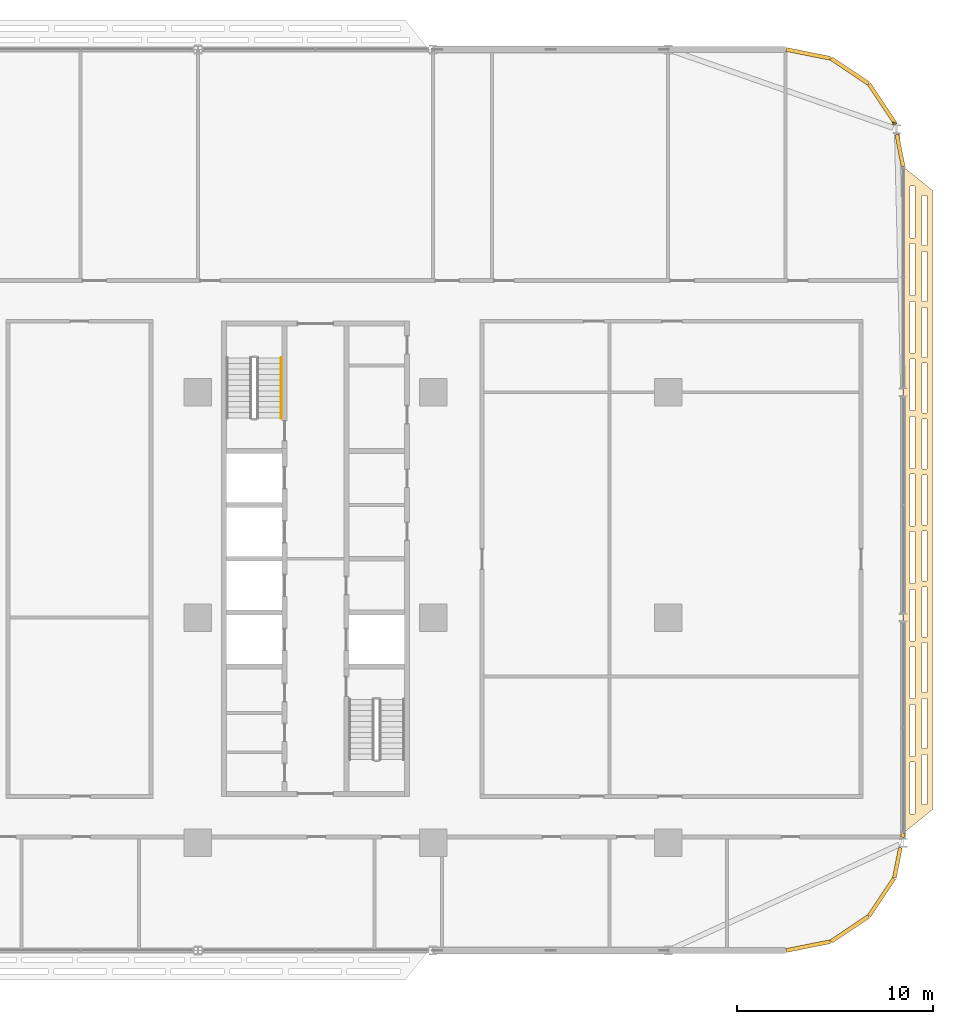
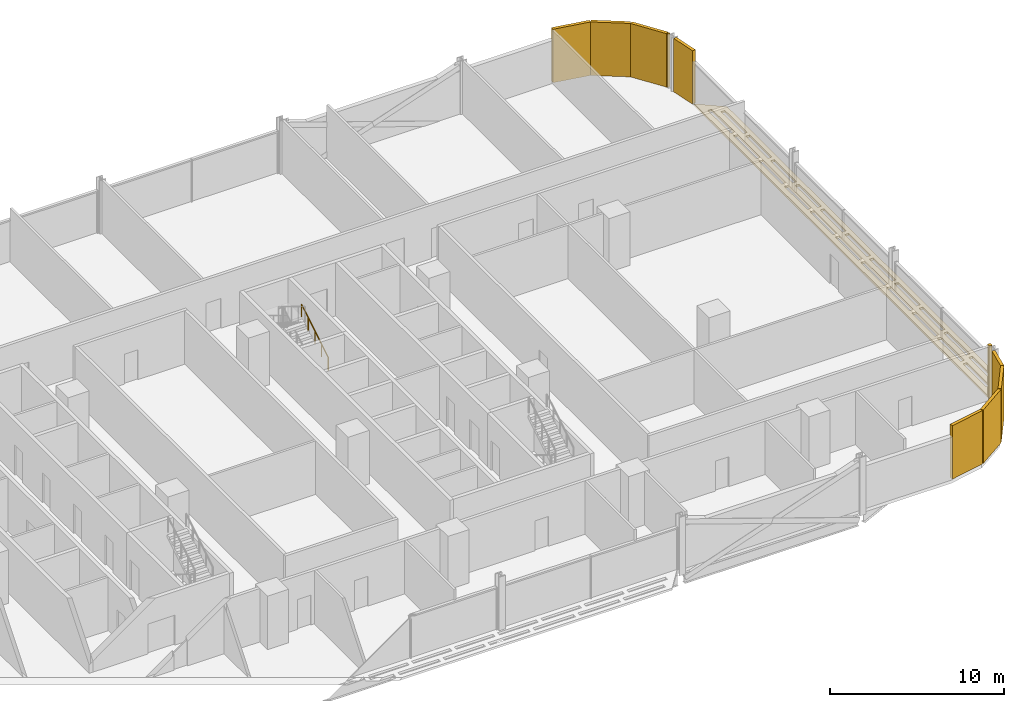
# One storey, part 29 of 29: 11 coverings, 1 railing.
"""IFC4 building model written with IfcOpenShell, lengths in metres."""

import ifcopenshell
import ifcopenshell.guid

model = None  # the IFC model being written
_history = None  # IfcOwnerHistory: only IFC2X3 demands one
_inside = {}  # id of a spatial element -> (the spatial element, [elements in it])
_under = {}  # id of a project, library or spatial element -> (it, [spatial elements below it])
_declared = {}  # id of a project -> (the project, [libraries it declares])
_typed = {}  # id of a type object -> (the type object, [elements of that type])
_made_of = {}  # id of a material, layer set ... -> (it, [elements and type objects made of it])


def new_model(schema):
    """Start an empty IFC model of exactly this schema.

    Asked for "IFC4X3", IfcOpenShell would pick the latest addendum, in which some entities
    have other attributes; the version numbers below select the first issue.
    IFC2X3 requires an IfcOwnerHistory on every rooted entity: one is made here for all.
    """
    global model, _history
    if schema == "IFC4X3":
        model = ifcopenshell.file(schema_version=(4, 3, 0, 0))
    else:
        model = ifcopenshell.file(schema=schema)
    _inside.clear()
    _under.clear()
    _declared.clear()
    _typed.clear()
    _made_of.clear()
    _history = None
    if model.schema == "IFC2X3":
        org = make("IfcOrganization", Name="unknown")
        user = make(
            "IfcPersonAndOrganization",
            ThePerson=make("IfcPerson", FamilyName="unknown"),
            TheOrganization=org,
        )
        app = make(
            "IfcApplication",
            ApplicationDeveloper=org,
            Version="unknown",
            ApplicationFullName="unknown",
            ApplicationIdentifier="unknown",
        )
        _history = make(
            "IfcOwnerHistory",
            OwningUser=user,
            OwningApplication=app,
            ChangeAction="ADDED",
            CreationDate=0,
        )
    return model


def make(cls, **values):
    """One entity of the class cls with the attributes given. An attribute that is None is left unset."""
    return model.create_entity(
        cls, **{name: value for name, value in values.items() if value is not None}
    )


def rooted(cls, **values):
    """An entity with a GlobalId (a new one), such as an element, a storey or a relation."""
    return make(cls, GlobalId=ifcopenshell.guid.new(), OwnerHistory=_history, **values)


def si_unit(unit_type, name, prefix=None):
    """IfcSIUnit, for example si_unit("LENGTHUNIT", "METRE", prefix="MILLI")."""
    return make("IfcSIUnit", UnitType=unit_type, Prefix=prefix, Name=name)


def assignment(units):
    """IfcUnitAssignment: the units of a project."""
    return None if units is None else make("IfcUnitAssignment", Units=units)


def point(xyz):
    """IfcCartesianPoint."""
    return None if xyz is None else make("IfcCartesianPoint", Coordinates=xyz)


def direction(xyz):
    """IfcDirection."""
    return None if xyz is None else make("IfcDirection", DirectionRatios=xyz)


def frame(location, z_axis=None, x_axis=None):
    """IfcAxis2Placement3D, a coordinate frame: its origin and axes. An axis left out is left unset."""
    return make(
        "IfcAxis2Placement3D",
        Location=point(location),
        Axis=direction(z_axis),
        RefDirection=direction(x_axis),
    )


def frame_2d(location, x_axis=None):
    """IfcAxis2Placement2D, a coordinate frame in the plane: its origin and x axis."""
    return make(
        "IfcAxis2Placement2D", Location=point(location), RefDirection=direction(x_axis)
    )


def origin():
    """The frame at (0, 0, 0) with its axes left unset."""
    return frame((0.0, 0.0, 0.0))


def origin_2d():
    """The frame at (0, 0) in the plane with its x axis left unset."""
    return frame_2d((0.0, 0.0))


def place(relative_to, where):
    """IfcLocalPlacement: puts the frame where relative to a parent placement (None: the world)."""
    return make(
        "IfcLocalPlacement", PlacementRelTo=relative_to, RelativePlacement=where
    )


def context(
    kind, dimensions, precision=None, world=None, true_north=None, identifier=None
):
    """IfcGeometricRepresentationContext, for example the 3D "Model" context."""
    return make(
        "IfcGeometricRepresentationContext",
        ContextIdentifier=identifier,
        ContextType=kind,
        CoordinateSpaceDimension=dimensions,
        Precision=precision,
        WorldCoordinateSystem=world,
        TrueNorth=true_north,
    )


def subcontext(parent, identifier, kind, view, scale=None):
    """IfcGeometricRepresentationSubContext, for example "Body" below "Model"."""
    return make(
        "IfcGeometricRepresentationSubContext",
        ContextIdentifier=identifier,
        ContextType=kind,
        ParentContext=parent,
        TargetScale=scale,
        TargetView=view,
    )


def project(units=None, contexts=None):
    """IfcProject with its units and contexts."""
    return rooted(
        "IfcProject",
        Name="project",
        RepresentationContexts=contexts,
        UnitsInContext=assignment(units),
    )


def spatial(cls, under=None, at=None, **own):
    """A site, building, storey or space (cls), placed at a placement, below another one or the project."""
    s = rooted(cls, ObjectPlacement=at, **own)
    if under is not None:
        _under.setdefault(under.id(), (under, []))[1].append(s)
    return s


def polyline(points):
    """IfcPolyline through the points."""
    return make("IfcPolyline", Points=[point(p) for p in points])


def profile(cls, at=None, kind="AREA", **sizes):
    """A parametric profile (cls). Its sizes go by their IFC names, for example OverallWidth=200.0."""
    return make(cls, ProfileType=kind, Position=at, **sizes)


def rectangle(**sizes):
    """IfcRectangleProfileDef."""
    return profile("IfcRectangleProfileDef", **sizes)


def circle(**sizes):
    """IfcCircleProfileDef."""
    return profile("IfcCircleProfileDef", **sizes)


def outline(outer, holes=None, kind="AREA"):
    """IfcArbitraryClosedProfileDef: a profile drawn as a closed curve; with holes, ...WithVoids."""
    if holes is None:
        return make("IfcArbitraryClosedProfileDef", ProfileType=kind, OuterCurve=outer)
    return make(
        "IfcArbitraryProfileDefWithVoids",
        ProfileType=kind,
        OuterCurve=outer,
        InnerCurves=holes,
    )


def extrude(swept, where, along, depth):
    """IfcExtrudedAreaSolid: the profile swept, set in the frame where, extruded along a direction by depth."""
    return make(
        "IfcExtrudedAreaSolid",
        SweptArea=swept,
        Position=where,
        ExtrudedDirection=direction(along),
        Depth=depth,
    )


def shape(context_of_items, identifier, shape_type, items):
    """IfcShapeRepresentation: the items that make up one representation, for example the "Body"."""
    return make(
        "IfcShapeRepresentation",
        ContextOfItems=context_of_items,
        RepresentationIdentifier=identifier,
        RepresentationType=shape_type,
        Items=items,
    )


def material(Name=None, Category=None):
    """IfcMaterial."""
    return make("IfcMaterial", Name=Name, Category=Category)


def layer(
    of_material, thickness, ventilated=None, Name=None, Category=None, Priority=None
):
    """IfcMaterialLayer: one layer of a wall or slab, of a material (None: an air gap)."""
    return make(
        "IfcMaterialLayer",
        Material=of_material,
        LayerThickness=thickness,
        IsVentilated=ventilated,
        Name=Name,
        Category=Category,
        Priority=Priority,
    )


def layer_set(layers, Name=None):
    """IfcMaterialLayerSet."""
    return make("IfcMaterialLayerSet", MaterialLayers=layers, LayerSetName=Name)


def made_of(thing, what):
    """Note that an element or type object is made of a material, layer set ...; save() writes the relation."""
    if what is not None:
        _made_of.setdefault(what.id(), (what, []))[1].append(thing)
    return thing


def type_object(cls, material=None, **own):
    """A type object (cls), such as IfcWallType, which elements share."""
    return made_of(rooted(cls, **own), material)


def element(
    cls,
    number,
    at=None,
    inside=None,
    cuts=None,
    type_object=None,
    material=None,
    context=None,
    identifier="Body",
    shape_type=None,
    held_by="IfcProductDefinitionShape",
    body=None,
    shapes=None,
    **own,
):
    """One element of the class cls, such as IfcWall. Its Tag is "e" and its number.

    at: its placement. inside: the storey or other place that contains it. cuts: it is an
    opening in that element (IfcRelVoidsElement). A single representation is given by context,
    identifier, shape_type and body (its items); several are given by shapes. held_by: the class
    of the entity that holds the representations. save() writes the other relations.
    """
    e = rooted(cls, Tag="e%d" % number, ObjectPlacement=at, **own)
    if body is not None:
        shapes = [shape(context, identifier, shape_type, body)]
    if shapes is not None:
        e.Representation = make(held_by, Representations=shapes)
    if inside is not None:
        _inside.setdefault(inside.id(), (inside, []))[1].append(e)
    if cuts is not None:
        rooted(
            "IfcRelVoidsElement", RelatingBuildingElement=cuts, RelatedOpeningElement=e
        )
    if type_object is not None:
        _typed.setdefault(type_object.id(), (type_object, []))[1].append(e)
    return made_of(e, material)


def aggregate(whole, parts):
    """IfcRelAggregates: a whole, such as a stair, and the parts it consists of."""
    return rooted("IfcRelAggregates", RelatingObject=whole, RelatedObjects=parts)


def save(model, path):
    """Write the relations noted so far, then the file.

    IfcRelAggregates (storeys below a building ...), IfcRelContainedInSpatialStructure (elements
    in a storey), IfcRelDefinesByType, IfcRelAssociatesMaterial and IfcRelDeclares: one each for
    every whole, place, type object, material and project.
    """
    for whole, parts in _under.values():
        aggregate(whole, parts)
    for where, things in _inside.values():
        rooted(
            "IfcRelContainedInSpatialStructure",
            RelatedElements=things,
            RelatingStructure=where,
        )
    for kind, things in _typed.values():
        rooted("IfcRelDefinesByType", RelatedObjects=things, RelatingType=kind)
    for what, things in _made_of.values():
        rooted("IfcRelAssociatesMaterial", RelatedObjects=things, RelatingMaterial=what)
    for by, libraries in _declared.values():
        rooted("IfcRelDeclares", RelatingContext=by, RelatedDefinitions=libraries)
    model.write(path)


model = new_model("IFC4")

# Units and contexts
model_context = context("Model", 3, precision=1e-05, world=origin(), true_north=direction((0.0, 1.0)))
body_context = subcontext(model_context, "Body", "Model", "MODEL_VIEW")
ifc_project = project(units=[si_unit("LENGTHUNIT", "METRE"), si_unit("AREAUNIT", "SQUARE_METRE"), si_unit("VOLUMEUNIT", "CUBIC_METRE"), si_unit("PLANEANGLEUNIT", "RADIAN"), si_unit("MASSUNIT", "GRAM", prefix="KILO")], contexts=[model_context])

# Site, building, storey
site_placement = place(None, origin())
site = spatial("IfcSite", under=ifc_project, at=site_placement, CompositionType="ELEMENT")
building_placement = place(site_placement, origin())
building = spatial("IfcBuilding", under=site, at=building_placement, Name="Mahtab Terrace Research Tower", CompositionType="ELEMENT")
storey_placement = place(building_placement, frame((0.0, 0.0, 88.89990234375)))
storey = spatial("IfcBuildingStorey", under=building, at=storey_placement, Name="L20", CompositionType="ELEMENT", Elevation=88.89990234375)

# Coverings
ifc_material_1 = material(Name="Black aluminium cladding panel", Category="aluminium")
ifc_layer_1 = layer(ifc_material_1, 0.199951171875)
ifc_layer_set_1 = layer_set([ifc_layer_1], Name="Black metal corner cladding 200")
covering_type_1 = type_object("IfcCoveringType", Name="Black metal corner cladding 200", PredefinedType="CLADDING", material=ifc_layer_set_1)
for number, where, z_axis, x_axis, name in (
    (1, (52.89306640625, 26.26953125, 0.0), (0.0, 0.0, 1.0), (-0.555291490808, 0.831655794326, 0.0), "Corner cladding L20 0"),
    (2, (51.26953125, 27.89306640625, 0.0), (0.0, 0.0, 1.0), (-0.831655794326, 0.555291490808, 0.0), "Corner cladding L20 1"),
    (3, (49.14794921875, 28.771484375, 0.0), (0.0, 0.0, 1.0), (-0.980760981187, 0.195212442692, 0.0), "Corner cladding L20 2"),
    (4, (49.14794921875, -16.771484375, 0.0), (0.0, 0.0, 1.0), (0.980760981187, 0.195212442692, 0.0), "Corner cladding L20 31"),
    (5, (51.26953125, -15.89306640625, 0.0), (0.0, 0.0, 1.0), (0.831655794326, 0.555291490808, 0.0), "Corner cladding L20 32"),
    (6, (52.89306640625, -14.26953125, 0.0), (0.0, 0.0, 1.0), (0.555291490808, 0.831655794326, 0.0), "Corner cladding L20 33"),
):
    element("IfcCovering", number, at=place(storey_placement, frame(where, z_axis=z_axis, x_axis=x_axis)), inside=storey, type_object=covering_type_1, Name=name, PredefinedType="CLADDING", context=body_context, shape_type="SweptSolid", body=[
        extrude(rectangle(XDim=2.30126953125, YDim=0.199951171875, at=origin_2d()), origin(), (0.0, 0.0, 1.0), 3.760009765625),
    ])
covering_1_placement = place(storey_placement, frame((53.699462890625, -12.51025390625, 0.0), z_axis=(0.0, 0.0, 1.0), x_axis=(0.195212442692, 0.980760981187, 0.0)))
element("IfcCovering", 7, at=covering_1_placement, inside=storey, type_object=covering_type_1, Name="Corner cladding L20 34", PredefinedType="CLADDING", context=body_context, shape_type="SweptSolid", body=[
    extrude(rectangle(XDim=1.562744140625, YDim=0.199951171875, at=origin_2d()), origin(), (0.0, 0.0, 1.0), 3.760009765625),
])
covering_2_placement = place(storey_placement, frame((53.977294921875, -11.114013671875, 0.0), z_axis=(0.0, 0.0, 1.0), x_axis=(0.195212442692, 0.980760981187, 0.0)))
element("IfcCovering", 8, at=covering_2_placement, inside=storey, type_object=covering_type_1, Name="Corner cladding L20 35", PredefinedType="CLADDING", context=body_context, shape_type="SweptSolid", body=[
    extrude(rectangle(XDim=0.212158203125, YDim=0.199951171875, at=origin_2d()), origin(), (0.0, 0.0, 1.0), 3.760009765625),
])
covering_3_placement = place(storey_placement, frame((53.833740234375, 23.83544921875, 0.0), z_axis=(0.0, 0.0, 1.0), x_axis=(-0.195212442692, 0.980760981187, 0.0)))
element("IfcCovering", 9, at=covering_3_placement, inside=storey, type_object=covering_type_1, Name="Corner cladding L20 39", PredefinedType="CLADDING", context=body_context, shape_type="SweptSolid", body=[
    extrude(rectangle(XDim=1.6640625, YDim=0.199951171875, at=origin_2d()), origin(), (0.0, 0.0, 1.0), 3.760009765625),
])
covering_4_placement = place(storey_placement, frame((53.5556640625, 25.231689453125, 0.0), z_axis=(0.0, 0.0, 1.0), x_axis=(-0.195212442692, 0.980760981187, 0.0)))
element("IfcCovering", 10, at=covering_4_placement, inside=storey, type_object=covering_type_1, Name="Corner cladding L20 40", PredefinedType="CLADDING", context=body_context, shape_type="SweptSolid", body=[
    extrude(rectangle(XDim=0.11083984375, YDim=0.199951171875, at=origin_2d()), origin(), (0.0, 0.0, 1.0), 3.760009765625),
])
ifc_material_2 = material(Name="Black anodised aluminium", Category="aluminium")
ifc_layer_2 = layer(ifc_material_2, 0.14990234375)
ifc_layer_set_2 = layer_set([ifc_layer_2], Name="Horizontal sunshade band")
covering_type_2 = type_object("IfcCoveringType", Name="Horizontal sunshade band", PredefinedType="CLADDING", material=ifc_layer_set_2)
covering_5_placement = place(storey_placement, frame((0.0, 0.0, -0.14990234375)))
element("IfcCovering", 11, at=covering_5_placement, inside=storey, type_object=covering_type_2, Name="Sunshade band L20 36", PredefinedType="CLADDING", context=body_context, shape_type="SweptSolid", body=[
    extrude(outline(polyline([(54.0, -11.0), (54.0, 23.0), (55.5, 21.800048828125), (55.5, -9.800048828125), (54.0, -11.0)]), holes=[polyline([(54.35009765625, -10.02001953125), (54.35009765625, -7.3798828125), (54.60009765625, -7.3798828125), (54.60009765625, -10.02001953125), (54.35009765625, -10.02001953125)]), polyline([(54.35009765625, -7.080078125), (54.35009765625, -4.43994140625), (54.60009765625, -4.43994140625), (54.60009765625, -7.080078125), (54.35009765625, -7.080078125)]), polyline([(54.35009765625, -4.139892578125), (54.35009765625, -1.5), (54.60009765625, -1.5), (54.60009765625, -4.139892578125), (54.35009765625, -4.139892578125)]), polyline([(54.35009765625, -1.199951171875), (54.35009765625, 1.43994140625), (54.60009765625, 1.43994140625), (54.60009765625, -1.199951171875), (54.35009765625, -1.199951171875)]), polyline([(54.35009765625, 1.739990234375), (54.35009765625, 4.3798828125), (54.60009765625, 4.3798828125), (54.60009765625, 1.739990234375), (54.35009765625, 1.739990234375)]), polyline([(54.35009765625, 4.679931640625), (54.35009765625, 7.320068359375), (54.60009765625, 7.320068359375), (54.60009765625, 4.679931640625), (54.35009765625, 4.679931640625)]), polyline([(54.35009765625, 7.6201171875), (54.35009765625, 10.260009765625), (54.60009765625, 10.260009765625), (54.60009765625, 7.6201171875), (54.35009765625, 7.6201171875)]), polyline([(54.35009765625, 10.56005859375), (54.35009765625, 13.199951171875), (54.60009765625, 13.199951171875), (54.60009765625, 10.56005859375), (54.35009765625, 10.56005859375)]), polyline([(54.35009765625, 13.5), (54.35009765625, 16.139892578125), (54.60009765625, 16.139892578125), (54.60009765625, 13.5), (54.35009765625, 13.5)]), polyline([(54.35009765625, 16.43994140625), (54.35009765625, 19.080078125), (54.60009765625, 19.080078125), (54.60009765625, 16.43994140625), (54.35009765625, 16.43994140625)]), polyline([(54.35009765625, 19.3798828125), (54.35009765625, 22.02001953125), (54.60009765625, 22.02001953125), (54.60009765625, 19.3798828125), (54.35009765625, 19.3798828125)]), polyline([(54.949951171875, -9.5400390625), (54.949951171875, -6.987060546875), (55.199951171875, -6.987060546875), (55.199951171875, -9.5400390625), (54.949951171875, -9.5400390625)]), polyline([(54.949951171875, -6.68701171875), (54.949951171875, -4.135009765625), (55.199951171875, -4.135009765625), (55.199951171875, -6.68701171875), (54.949951171875, -6.68701171875)]), polyline([(54.949951171875, -3.8349609375), (54.949951171875, -1.281982421875), (55.199951171875, -1.281982421875), (55.199951171875, -3.8349609375), (54.949951171875, -3.8349609375)]), polyline([(54.949951171875, -0.98193359375), (54.949951171875, 1.571044921875), (55.199951171875, 1.571044921875), (55.199951171875, -0.98193359375), (54.949951171875, -0.98193359375)]), polyline([(54.949951171875, 1.87109375), (54.949951171875, 4.424072265625), (55.199951171875, 4.424072265625), (55.199951171875, 1.87109375), (54.949951171875, 1.87109375)]), polyline([(54.949951171875, 4.72412109375), (54.949951171875, 7.27587890625), (55.199951171875, 7.27587890625), (55.199951171875, 4.72412109375), (54.949951171875, 4.72412109375)]), polyline([(54.949951171875, 7.575927734375), (54.949951171875, 10.12890625), (55.199951171875, 10.12890625), (55.199951171875, 7.575927734375), (54.949951171875, 7.575927734375)]), polyline([(54.949951171875, 10.428955078125), (54.949951171875, 12.98193359375), (55.199951171875, 12.98193359375), (55.199951171875, 10.428955078125), (54.949951171875, 10.428955078125)]), polyline([(54.949951171875, 13.281982421875), (54.949951171875, 15.8349609375), (55.199951171875, 15.8349609375), (55.199951171875, 13.281982421875), (54.949951171875, 13.281982421875)]), polyline([(54.949951171875, 16.135009765625), (54.949951171875, 18.68701171875), (55.199951171875, 18.68701171875), (55.199951171875, 16.135009765625), (54.949951171875, 16.135009765625)]), polyline([(54.949951171875, 18.987060546875), (54.949951171875, 21.5400390625), (55.199951171875, 21.5400390625), (55.199951171875, 18.987060546875), (54.949951171875, 18.987060546875)])]), origin(), (0.0, 0.0, 1.0), 0.14990234375),
])

# Railing
ifc_material_3 = material(Name="Stainless steel AISI 304", Category="steel")
railing_type = type_object("IfcRailingType", Name="Stair handrail 900", PredefinedType="HANDRAIL", material=ifc_material_3)
railing_placement = place(storey_placement, frame((22.25, 10.175048828125, 0.1708984375)))
element("IfcRailing", 12, at=railing_placement, inside=storey, type_object=railing_type, Name="L20 ST3 stair handrail 1", PredefinedType="HANDRAIL", context=body_context, shape_type="SweptSolid", body=[
    extrude(circle(Radius=0.02392578125, at=origin_2d()), frame((0.0, 0.0, 0.8759765625), z_axis=(0.0, 0.853647949592, 0.520850437417), x_axis=(-1.0, 0.0, 0.0)), (0.0, 0.0, 1.0), 3.60791015625),
    extrude(circle(Radius=0.02099609375, at=origin_2d()), origin(), (0.0, 0.0, 1.0), 0.851806640625),
    extrude(circle(Radius=0.02099609375, at=origin_2d()), frame((0.0, 0.77001953125, 0.4697265625)), (0.0, 0.0, 1.0), 0.851806640625),
    extrude(circle(Radius=0.02099609375, at=origin_2d()), frame((0.0, 1.5400390625, 0.939453125)), (0.0, 0.0, 1.0), 0.851806640625),
    extrude(circle(Radius=0.02099609375, at=origin_2d()), frame((0.0, 2.309814453125, 1.409423828125)), (0.0, 0.0, 1.0), 0.851806640625),
    extrude(circle(Radius=0.02099609375, at=origin_2d()), frame((0.0, 3.079833984375, 1.879150390625)), (0.0, 0.0, 1.0), 0.851806640625),
])

save(model, "model.ifc")
